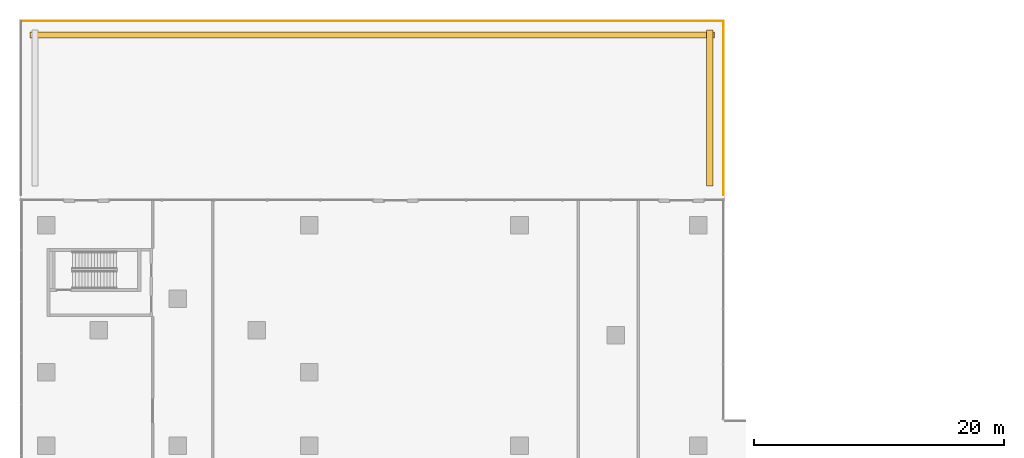
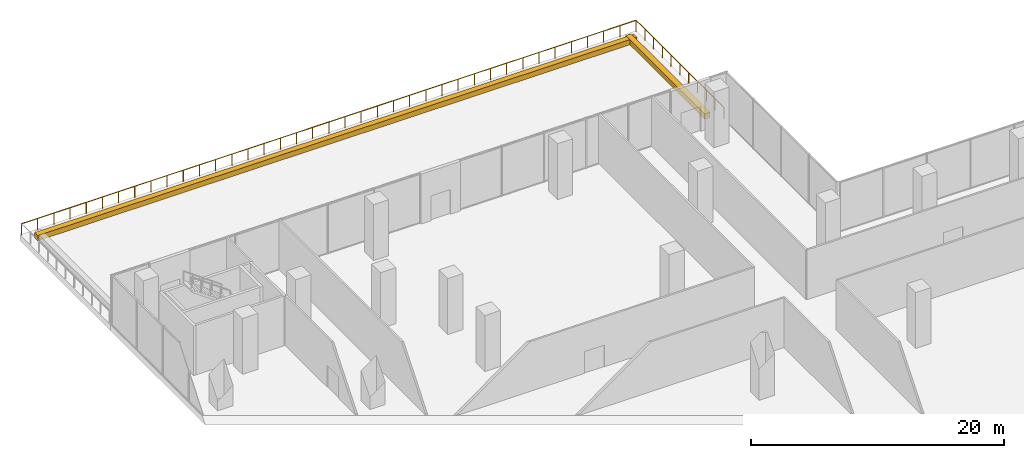
# One storey, part 24 of 24: 2 coverings, 2 railings.
"""IFC4 building model written with IfcOpenShell, lengths in metres."""

from ifc_helpers import new_model, si_unit, direction, frame, origin, origin_2d, place, context, subcontext, project, spatial, rectangle, circle, extrude, source, transform, mapped, material, type_object, element, save


model = new_model("IFC4")

# Units and contexts
model_context = context("Model", 3, precision=1e-05, world=origin(), true_north=direction((0.0, 1.0)))
body_context = subcontext(model_context, "Body", "Model", "MODEL_VIEW")
ifc_project = project(units=[si_unit("LENGTHUNIT", "METRE"), si_unit("AREAUNIT", "SQUARE_METRE"), si_unit("VOLUMEUNIT", "CUBIC_METRE"), si_unit("PLANEANGLEUNIT", "RADIAN"), si_unit("MASSUNIT", "GRAM", prefix="KILO")], contexts=[model_context])

# Site, building, storey
site_placement = place(None, origin())
site = spatial("IfcSite", under=ifc_project, at=site_placement, CompositionType="ELEMENT")
building_placement = place(site_placement, origin())
building = spatial("IfcBuilding", under=site, at=building_placement, Name="Aurelian Terraces", CompositionType="ELEMENT")
storey_placement = place(building_placement, frame((0.0, 0.0, 12.9)))
storey = spatial("IfcBuildingStorey", under=building, at=storey_placement, Name="L02", CompositionType="ELEMENT", Elevation=12.9)

# Railings
ifc_material_1 = material(Name="Anodised aluminium", Category="aluminium")
railing_type = type_object("IfcRailingType", Name="GUARD-1100", PredefinedType="GUARDRAIL", material=ifc_material_1)
railing_1_placement = place(storey_placement, frame((-2.01, 86.01, 0.0)))
element("IfcRailing", 1, at=railing_1_placement, inside=storey, type_object=railing_type, Name="Terrace guard L02 L02-X1.2", PredefinedType="GUARDRAIL", context=body_context, shape_type="SweptSolid", body=[
    extrude(circle(Radius=0.024, at=origin_2d()), frame((0.0, 0.0, 1.076), z_axis=(1.0, 0.0, 0.0), x_axis=(0.0, 1.0, 0.0)), (0.0, 0.0, 1.0), 56.1),
    extrude(circle(Radius=0.021, at=origin_2d()), origin(), (0.0, 0.0, 1.0), 1.052),
    extrude(circle(Radius=0.021, at=origin_2d()), frame((1.4763, 0.0, 0.0)), (0.0, 0.0, 1.0), 1.052),
    extrude(circle(Radius=0.021, at=origin_2d()), frame((2.9526, 0.0, 0.0)), (0.0, 0.0, 1.0), 1.052),
    extrude(circle(Radius=0.021, at=origin_2d()), frame((4.4289, 0.0, 0.0)), (0.0, 0.0, 1.0), 1.052),
    extrude(circle(Radius=0.021, at=origin_2d()), frame((5.9053, 0.0, 0.0)), (0.0, 0.0, 1.0), 1.052),
    extrude(circle(Radius=0.021, at=origin_2d()), frame((7.3816, 0.0, 0.0)), (0.0, 0.0, 1.0), 1.052),
    extrude(circle(Radius=0.021, at=origin_2d()), frame((8.8579, 0.0, 0.0)), (0.0, 0.0, 1.0), 1.052),
    extrude(circle(Radius=0.021, at=origin_2d()), frame((10.3342, 0.0, 0.0)), (0.0, 0.0, 1.0), 1.052),
    extrude(circle(Radius=0.021, at=origin_2d()), frame((11.8105, 0.0, 0.0)), (0.0, 0.0, 1.0), 1.052),
    extrude(circle(Radius=0.021, at=origin_2d()), frame((13.2868, 0.0, 0.0)), (0.0, 0.0, 1.0), 1.052),
    extrude(circle(Radius=0.021, at=origin_2d()), frame((14.7632, 0.0, 0.0)), (0.0, 0.0, 1.0), 1.052),
    extrude(circle(Radius=0.021, at=origin_2d()), frame((16.2395, 0.0, 0.0)), (0.0, 0.0, 1.0), 1.052),
    extrude(circle(Radius=0.021, at=origin_2d()), frame((17.7158, 0.0, 0.0)), (0.0, 0.0, 1.0), 1.052),
    extrude(circle(Radius=0.021, at=origin_2d()), frame((19.1921, 0.0, 0.0)), (0.0, 0.0, 1.0), 1.052),
    extrude(circle(Radius=0.021, at=origin_2d()), frame((20.6684, 0.0, 0.0)), (0.0, 0.0, 1.0), 1.052),
    extrude(circle(Radius=0.021, at=origin_2d()), frame((22.1447, 0.0, 0.0)), (0.0, 0.0, 1.0), 1.052),
    extrude(circle(Radius=0.021, at=origin_2d()), frame((23.6211, 0.0, 0.0)), (0.0, 0.0, 1.0), 1.052),
    extrude(circle(Radius=0.021, at=origin_2d()), frame((25.0974, 0.0, 0.0)), (0.0, 0.0, 1.0), 1.052),
    extrude(circle(Radius=0.021, at=origin_2d()), frame((26.5737, 0.0, 0.0)), (0.0, 0.0, 1.0), 1.052),
    extrude(circle(Radius=0.021, at=origin_2d()), frame((28.05, 0.0, 0.0)), (0.0, 0.0, 1.0), 1.052),
    extrude(circle(Radius=0.021, at=origin_2d()), frame((29.5263, 0.0, 0.0)), (0.0, 0.0, 1.0), 1.052),
    extrude(circle(Radius=0.021, at=origin_2d()), frame((31.0026, 0.0, 0.0)), (0.0, 0.0, 1.0), 1.052),
    extrude(circle(Radius=0.021, at=origin_2d()), frame((32.4789, 0.0, 0.0)), (0.0, 0.0, 1.0), 1.052),
    extrude(circle(Radius=0.021, at=origin_2d()), frame((33.9553, 0.0, 0.0)), (0.0, 0.0, 1.0), 1.052),
    extrude(circle(Radius=0.021, at=origin_2d()), frame((35.4316, 0.0, 0.0)), (0.0, 0.0, 1.0), 1.052),
    extrude(circle(Radius=0.021, at=origin_2d()), frame((36.9079, 0.0, 0.0)), (0.0, 0.0, 1.0), 1.052),
    extrude(circle(Radius=0.021, at=origin_2d()), frame((38.3842, 0.0, 0.0)), (0.0, 0.0, 1.0), 1.052),
    extrude(circle(Radius=0.021, at=origin_2d()), frame((39.8605, 0.0, 0.0)), (0.0, 0.0, 1.0), 1.052),
    extrude(circle(Radius=0.021, at=origin_2d()), frame((41.3368, 0.0, 0.0)), (0.0, 0.0, 1.0), 1.052),
    extrude(circle(Radius=0.021, at=origin_2d()), frame((42.8132, 0.0, 0.0)), (0.0, 0.0, 1.0), 1.052),
    extrude(circle(Radius=0.021, at=origin_2d()), frame((44.2895, 0.0, 0.0)), (0.0, 0.0, 1.0), 1.052),
    extrude(circle(Radius=0.021, at=origin_2d()), frame((45.7658, 0.0, 0.0)), (0.0, 0.0, 1.0), 1.052),
    extrude(circle(Radius=0.021, at=origin_2d()), frame((47.2421, 0.0, 0.0)), (0.0, 0.0, 1.0), 1.052),
    extrude(circle(Radius=0.021, at=origin_2d()), frame((48.7184, 0.0, 0.0)), (0.0, 0.0, 1.0), 1.052),
    extrude(circle(Radius=0.021, at=origin_2d()), frame((50.1947, 0.0, 0.0)), (0.0, 0.0, 1.0), 1.052),
    extrude(circle(Radius=0.021, at=origin_2d()), frame((51.6711, 0.0, 0.0)), (0.0, 0.0, 1.0), 1.052),
    extrude(circle(Radius=0.021, at=origin_2d()), frame((53.1474, 0.0, 0.0)), (0.0, 0.0, 1.0), 1.052),
    extrude(circle(Radius=0.021, at=origin_2d()), frame((54.6237, 0.0, 0.0)), (0.0, 0.0, 1.0), 1.052),
    extrude(circle(Radius=0.021, at=origin_2d()), frame((56.1, 0.0, 0.0)), (0.0, 0.0, 1.0), 1.052),
])
railing_2_placement = place(storey_placement, frame((54.09, 86.01, 0.0)))
element("IfcRailing", 2, at=railing_2_placement, inside=storey, type_object=railing_type, Name="Terrace guard L02 L02-X1.3", PredefinedType="GUARDRAIL", context=body_context, shape_type="SweptSolid", body=[
    extrude(circle(Radius=0.024, at=origin_2d()), frame((0.0, 0.0, 1.076), z_axis=(0.0, -1.0, 0.0), x_axis=(1.0, 0.0, 0.0)), (0.0, 0.0, 1.0), 13.89),
    extrude(circle(Radius=0.021, at=origin_2d()), origin(), (0.0, 0.0, 1.0), 1.052),
    extrude(circle(Radius=0.021, at=origin_2d()), frame((0.0, -1.389, 0.0)), (0.0, 0.0, 1.0), 1.052),
    extrude(circle(Radius=0.021, at=origin_2d()), frame((0.0, -2.778, 0.0)), (0.0, 0.0, 1.0), 1.052),
    extrude(circle(Radius=0.021, at=origin_2d()), frame((0.0, -4.167, 0.0)), (0.0, 0.0, 1.0), 1.052),
    extrude(circle(Radius=0.021, at=origin_2d()), frame((0.0, -5.556, 0.0)), (0.0, 0.0, 1.0), 1.052),
    extrude(circle(Radius=0.021, at=origin_2d()), frame((0.0, -6.945, 0.0)), (0.0, 0.0, 1.0), 1.052),
    extrude(circle(Radius=0.021, at=origin_2d()), frame((0.0, -8.334, 0.0)), (0.0, 0.0, 1.0), 1.052),
    extrude(circle(Radius=0.021, at=origin_2d()), frame((0.0, -9.723, 0.0)), (0.0, 0.0, 1.0), 1.052),
    extrude(circle(Radius=0.021, at=origin_2d()), frame((0.0, -11.112, 0.0)), (0.0, 0.0, 1.0), 1.052),
    extrude(circle(Radius=0.021, at=origin_2d()), frame((0.0, -12.501, 0.0)), (0.0, 0.0, 1.0), 1.052),
    extrude(circle(Radius=0.021, at=origin_2d()), frame((0.0, -13.89, 0.0)), (0.0, 0.0, 1.0), 1.052),
])

# Coverings
ifc_material_2 = material(Name="Terracotta planter with planting soil", Category="masonry")
covering_type = type_object("IfcCoveringType", Name="PLANTER-TROUGH", PredefinedType="USERDEFINED", material=ifc_material_2)
covering_1_placement = place(storey_placement, frame((26.04, 84.91, 0.0), z_axis=(0.0, 0.0, 1.0), x_axis=(1.0, 0.0, 0.0)))
element("IfcCovering", 3, at=covering_1_placement, inside=storey, type_object=covering_type, Name="PLANTER L02 terrace L02-X1-1.1", ObjectType="PLANTER", PredefinedType="USERDEFINED", context=body_context, shape_type="SweptSolid", body=[
    extrude(rectangle(XDim=54.7, YDim=0.5, at=origin_2d()), origin(), (0.0, 0.0, 1.0), 0.5),
])
shared_shape = source(origin(), body_context, "Body", "SweptSolid", [
    extrude(rectangle(XDim=0.5, YDim=12.49, at=origin_2d()), origin(), (0.0, 0.0, 1.0), 0.5),
])
covering_2_placement = place(storey_placement, frame((52.99, 79.065, 0.0), z_axis=(0.0, 0.0, 1.0), x_axis=(1.0, 0.0, 0.0)))
element("IfcCovering", 4, at=covering_2_placement, inside=storey, type_object=covering_type, Name="PLANTER L02 terrace L02-X1-2.1", ObjectType="PLANTER", PredefinedType="USERDEFINED", context=body_context, shape_type="MappedRepresentation", body=[
    mapped(shared_shape, transform((0.0, 0.0, 0.0), scale=1.0)),
])

save(model, "model.ifc")
